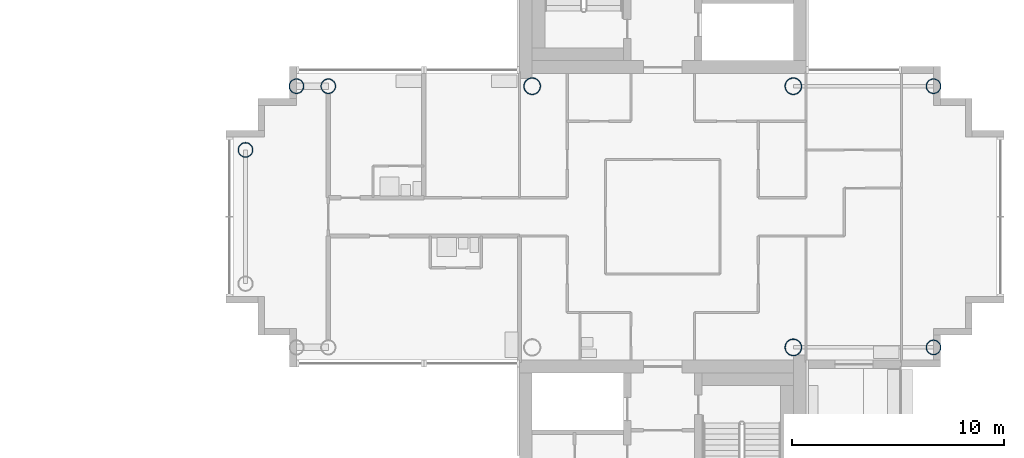
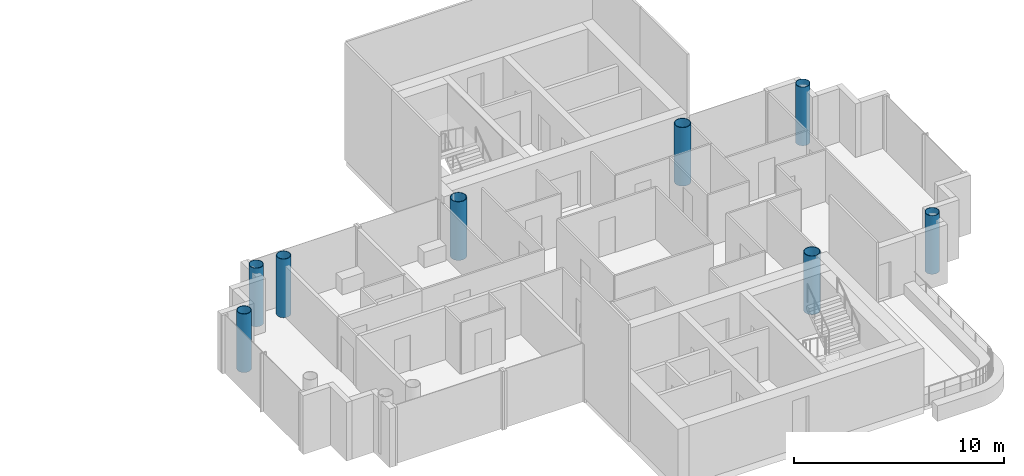
# One storey, part 2 of 18: 8 columns.
"""IFC4 building model written with IfcOpenShell, lengths in metres."""

from ifc_helpers import new_model, si_unit, direction, frame, origin, origin_2d, place, context, subcontext, project, spatial, hollow_circle, extrude, material, material_profile, profile_set, type_object, element, save


model = new_model("IFC4")

# Units and contexts
model_context = context("Model", 3, precision=1e-05, world=origin(), true_north=direction((0.0, 1.0)))
body_context = subcontext(model_context, "Body", "Model", "MODEL_VIEW")
ifc_project = project(units=[si_unit("LENGTHUNIT", "METRE"), si_unit("AREAUNIT", "SQUARE_METRE"), si_unit("VOLUMEUNIT", "CUBIC_METRE"), si_unit("PLANEANGLEUNIT", "RADIAN"), si_unit("MASSUNIT", "GRAM", prefix="KILO")], contexts=[model_context])

# Site, building, storey
site_placement = place(None, origin())
site = spatial("IfcSite", under=ifc_project, at=site_placement, CompositionType="ELEMENT")
building_placement = place(site_placement, origin())
building = spatial("IfcBuilding", under=site, at=building_placement, Name="Ipe Terrace Towers", CompositionType="ELEMENT")
storey_placement = place(building_placement, frame((0.0, 0.0, 213.0)))
storey = spatial("IfcBuildingStorey", under=building, at=storey_placement, Name="L59", CompositionType="ELEMENT", Elevation=213.0)

# Columns
ifc_material_1 = material(Name="Steel S355 tube with Concrete C60/75 fill", Category="concrete")
ifc_material_profile_1 = material_profile(ifc_material_1, hollow_circle(Radius=0.35009765625, WallThickness=0.02490234375, at=origin_2d()), Name="CHS-700x25")
ifc_profile_set_1 = profile_set([ifc_material_profile_1], Name="Steel S355 tube with Concrete C60/75 fill")
column_type_1 = type_object("IfcColumnType", Name="CH08 COLUMN CHS-700x25", PredefinedType="COLUMN", material=ifc_profile_set_1)
for number, where, z_axis, x_axis, name in (
    (1, (20.25, 6.14990234375, 0.0), (0.0, 0.0, 1.0), (1.0, 0.0, 0.0), "Column T2-C-B03"),
    (2, (18.75, 6.14990234375, 0.0), (0.0, 0.0, 1.0), (1.0, 0.0, 0.0), "Column T2-C-B05"),
    (3, (16.35009765625, 3.14990234375, 0.0), (0.0, 0.0, 1.0), (1.0, 0.0, 0.0), "Column T2-C-B07"),
    (4, (48.75, -6.14990234375, 0.0), (0.0, 0.0, 1.0), (1.0, 0.0, 0.0), "Column T2-C-D01"),
    (5, (48.75, 6.14990234375, 0.0), (0.0, 0.0, 1.0), (1.0, 0.0, 0.0), "Column T2-C-D02"),
):
    element("IfcColumn", number, at=place(storey_placement, frame(where, z_axis=z_axis, x_axis=x_axis)), inside=storey, type_object=column_type_1, Name=name, PredefinedType="COLUMN", context=body_context, shape_type="SweptSolid", body=[
        extrude(hollow_circle(Radius=0.35009765625, WallThickness=0.02490234375, at=origin_2d()), origin(), (0.0, 0.0, 1.0), 3.39990234375),
    ])
ifc_material_2 = material(Name="Steel S355 tube with Concrete C60/75 fill", Category="concrete")
ifc_material_profile_2 = material_profile(ifc_material_2, hollow_circle(Radius=0.39990234375, WallThickness=0.028076171875, at=origin_2d()), Name="CHS-800x28")
ifc_profile_set_2 = profile_set([ifc_material_profile_2], Name="Steel S355 tube with Concrete C60/75 fill")
column_type_2 = type_object("IfcColumnType", Name="CH09 COLUMN CHS-800x28", PredefinedType="COLUMN", material=ifc_profile_set_2)
for number, where, z_axis, x_axis, name in (
    (6, (42.14990234375, -6.14990234375, 0.0), (0.0, 0.0, 1.0), (1.0, 0.0, 0.0), "Column T2-C-E01"),
    (7, (42.14990234375, 6.14990234375, 0.0), (0.0, 0.0, 1.0), (1.0, 0.0, 0.0), "Column T2-C-E02"),
    (8, (29.85009765625, 6.14990234375, 0.0), (0.0, 0.0, 1.0), (1.0, 0.0, 0.0), "Column T2-C-E03"),
):
    element("IfcColumn", number, at=place(storey_placement, frame(where, z_axis=z_axis, x_axis=x_axis)), inside=storey, type_object=column_type_2, Name=name, PredefinedType="COLUMN", context=body_context, shape_type="SweptSolid", body=[
        extrude(hollow_circle(Radius=0.39990234375, WallThickness=0.028076171875, at=origin_2d()), origin(), (0.0, 0.0, 1.0), 3.39990234375),
    ])

save(model, "model.ifc")
